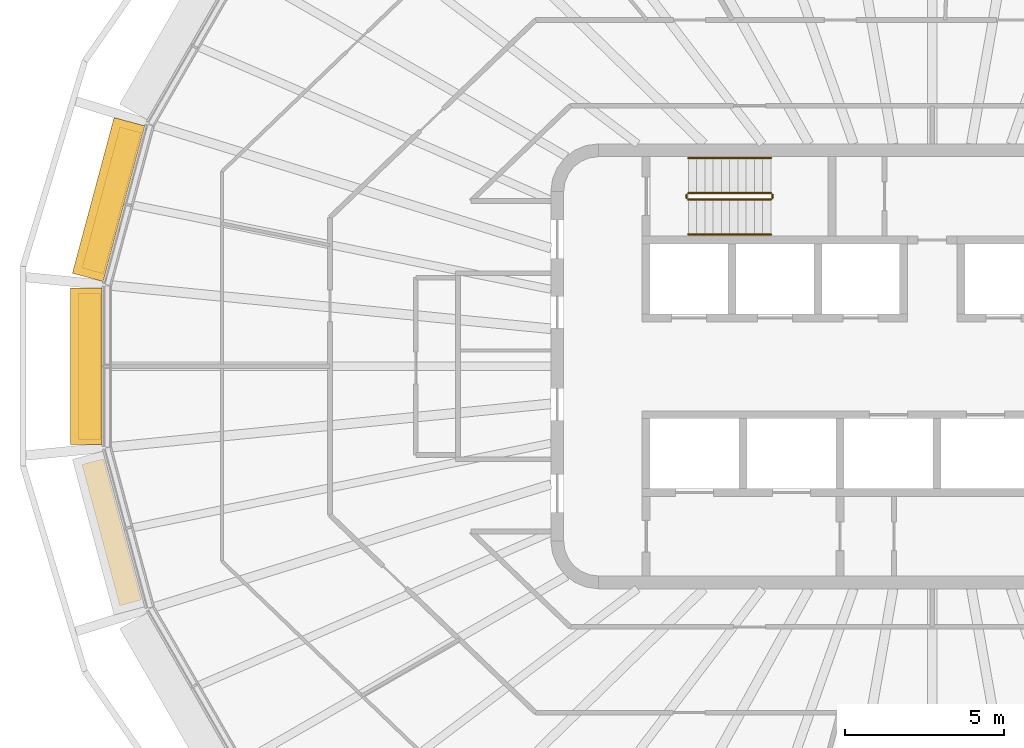
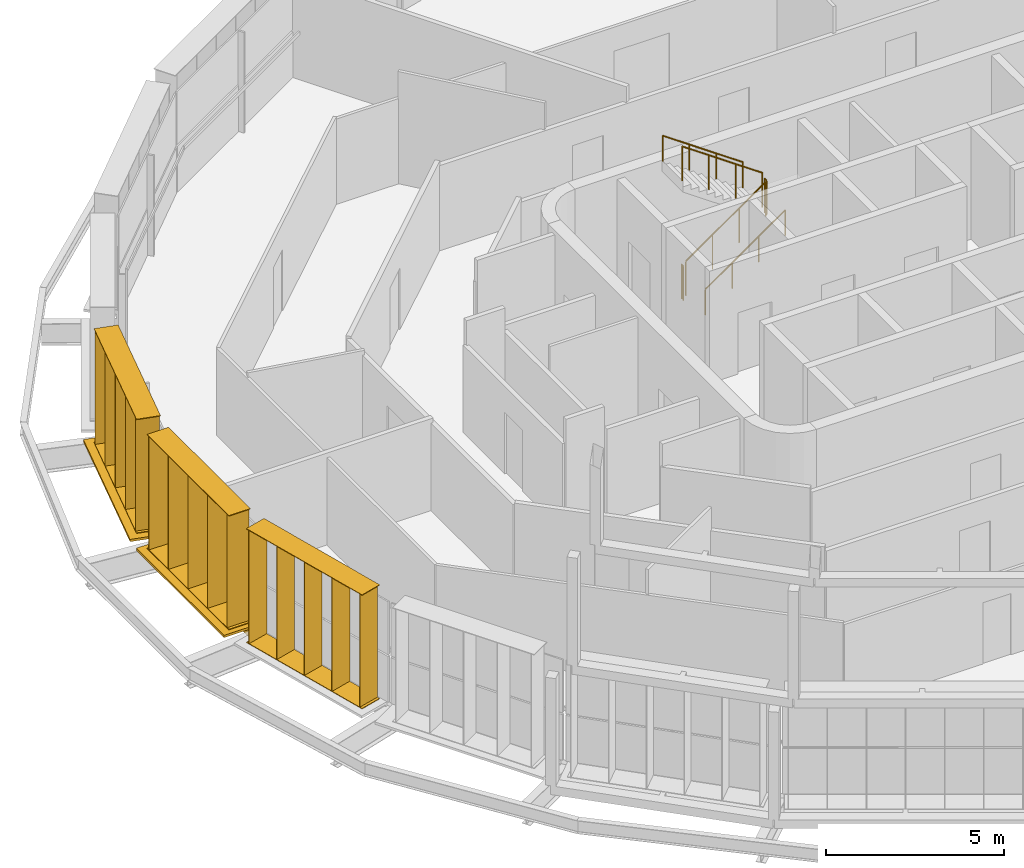
# One storey, part 15 of 18: 6 railings, 5 shading devices.
"""IFC4 building model written with IfcOpenShell, lengths in metres."""

from ifc_helpers import new_model, si_unit, direction, frame, origin, origin_2d, place, context, subcontext, project, spatial, rectangle, circle, extrude, material, type_object, element, save


model = new_model("IFC4")

# Units and contexts
model_context = context("Model", 3, precision=1e-05, world=origin(), true_north=direction((0.0, 1.0)))
body_context = subcontext(model_context, "Body", "Model", "MODEL_VIEW")
ifc_project = project(units=[si_unit("LENGTHUNIT", "METRE"), si_unit("AREAUNIT", "SQUARE_METRE"), si_unit("VOLUMEUNIT", "CUBIC_METRE"), si_unit("PLANEANGLEUNIT", "RADIAN"), si_unit("MASSUNIT", "GRAM", prefix="KILO")], contexts=[model_context])

# Site, building, storey
site_placement = place(None, origin())
site = spatial("IfcSite", under=ifc_project, at=site_placement, CompositionType="ELEMENT")
building_placement = place(site_placement, origin())
building = spatial("IfcBuilding", under=site, at=building_placement, Name="Sahrelin Media Tower", CompositionType="ELEMENT")
storey_placement = place(building_placement, frame((0.0, 0.0, 308.39990234375)))
storey = spatial("IfcBuildingStorey", under=building, at=storey_placement, Name="L68", CompositionType="ELEMENT", Elevation=308.39990234375)

# Shading devices
ifc_material_1 = material(Name="Champagne anodised aluminium 6063-T6", Category="aluminium")
shading_device_type_1 = type_object("IfcShadingDeviceType", Name="Fin cassette", PredefinedType="USERDEFINED", material=ifc_material_1)
placement_1 = place(storey_placement, frame((-25.41650390625, 5.113037109375, 0.0), z_axis=(0.0, 0.0, 1.0), x_axis=(0.258807731996, 0.965928857556, 0.0)))
element("IfcShadingDevice", 1, at=placement_1, inside=storey, type_object=shading_device_type_1, Name="L68:FIN:L68-11", ObjectType="FIN", PredefinedType="USERDEFINED", context=body_context, shape_type="SweptSolid", body=[
    extrude(rectangle(XDim=4.60009765625, YDim=0.699951171875, at=origin_2d()), frame((0.0, 0.419921875, 0.0)), (0.0, 0.0, 1.0), 0.02001953125),
    extrude(rectangle(XDim=4.60009765625, YDim=0.699951171875, at=origin_2d()), frame((0.0, 0.419921875, 3.89990234375)), (0.0, 0.0, 1.0), 0.02001953125),
    extrude(rectangle(XDim=0.02001953125, YDim=0.699951171875, at=origin_2d()), frame((-2.199951171875, 0.419921875, 0.010009765625), z_axis=(0.0, 0.0, 1.0), x_axis=(1.0, 0.0, 0.0)), (0.0, 0.0, 1.0), 3.89990234375),
    extrude(rectangle(XDim=0.02001953125, YDim=0.699951171875, at=origin_2d()), frame((-1.10009765625, 0.419921875, 0.010009765625), z_axis=(0.0, 0.0, 1.0), x_axis=(1.0, 0.0, 0.0)), (0.0, 0.0, 1.0), 3.89990234375),
    extrude(rectangle(XDim=0.02001953125, YDim=0.699951171875, at=origin_2d()), frame((0.0, 0.419921875, 0.010009765625), z_axis=(0.0, 0.0, 1.0), x_axis=(1.0, 0.0, 0.0)), (0.0, 0.0, 1.0), 3.89990234375),
    extrude(rectangle(XDim=0.02001953125, YDim=0.699951171875, at=origin_2d()), frame((1.10009765625, 0.419921875, 0.010009765625), z_axis=(0.0, 0.0, 1.0), x_axis=(1.0, 0.0, 0.0)), (0.0, 0.0, 1.0), 3.89990234375),
    extrude(rectangle(XDim=0.02001953125, YDim=0.699951171875, at=origin_2d()), frame((2.199951171875, 0.419921875, 0.010009765625), z_axis=(0.0, 0.0, 1.0), x_axis=(1.0, 0.0, 0.0)), (0.0, 0.0, 1.0), 3.89990234375),
])
placement_2 = place(storey_placement, frame((-26.098388671875, 0.0, 0.0), z_axis=(0.0, 0.0, 1.0), x_axis=(0.0, 1.0, 0.0)))
element("IfcShadingDevice", 2, at=placement_2, inside=storey, type_object=shading_device_type_1, Name="L68:FIN:L68-12", ObjectType="FIN", PredefinedType="USERDEFINED", context=body_context, shape_type="SweptSolid", body=[
    extrude(rectangle(XDim=4.60009765625, YDim=0.699951171875, at=origin_2d()), frame((0.0, 0.419921875, 0.0)), (0.0, 0.0, 1.0), 0.02001953125),
    extrude(rectangle(XDim=4.60009765625, YDim=0.699951171875, at=origin_2d()), frame((0.0, 0.419921875, 3.89990234375)), (0.0, 0.0, 1.0), 0.02001953125),
    extrude(rectangle(XDim=0.02001953125, YDim=0.699951171875, at=origin_2d()), frame((-2.199951171875, 0.419921875, 0.010009765625), z_axis=(0.0, 0.0, 1.0), x_axis=(1.0, 0.0, 0.0)), (0.0, 0.0, 1.0), 3.89990234375),
    extrude(rectangle(XDim=0.02001953125, YDim=0.699951171875, at=origin_2d()), frame((-1.10009765625, 0.419921875, 0.010009765625), z_axis=(0.0, 0.0, 1.0), x_axis=(1.0, 0.0, 0.0)), (0.0, 0.0, 1.0), 3.89990234375),
    extrude(rectangle(XDim=0.02001953125, YDim=0.699951171875, at=origin_2d()), frame((0.0, 0.419921875, 0.010009765625), z_axis=(0.0, 0.0, 1.0), x_axis=(1.0, 0.0, 0.0)), (0.0, 0.0, 1.0), 3.89990234375),
    extrude(rectangle(XDim=0.02001953125, YDim=0.699951171875, at=origin_2d()), frame((1.10009765625, 0.419921875, 0.010009765625), z_axis=(0.0, 0.0, 1.0), x_axis=(1.0, 0.0, 0.0)), (0.0, 0.0, 1.0), 3.89990234375),
    extrude(rectangle(XDim=0.02001953125, YDim=0.699951171875, at=origin_2d()), frame((2.199951171875, 0.419921875, 0.010009765625), z_axis=(0.0, 0.0, 1.0), x_axis=(1.0, 0.0, 0.0)), (0.0, 0.0, 1.0), 3.89990234375),
])
shading_device_3_placement = place(storey_placement, frame((-25.41650390625, -5.113037109375, 0.0), z_axis=(0.0, 0.0, 1.0), x_axis=(-0.258807731996, 0.965928857556, 0.0)))
element("IfcShadingDevice", 3, at=shading_device_3_placement, inside=storey, type_object=shading_device_type_1, Name="L68:FIN:L68-13", ObjectType="FIN", PredefinedType="USERDEFINED", context=body_context, shape_type="SweptSolid", body=[
    extrude(rectangle(XDim=4.60009765625, YDim=0.699951171875, at=origin_2d()), frame((0.0, 0.419921875, 0.0)), (0.0, 0.0, 1.0), 0.02001953125),
    extrude(rectangle(XDim=4.60009765625, YDim=0.699951171875, at=origin_2d()), frame((0.0, 0.419921875, 3.89990234375)), (0.0, 0.0, 1.0), 0.02001953125),
    extrude(rectangle(XDim=0.02001953125, YDim=0.699951171875, at=origin_2d()), frame((-2.199951171875, 0.419921875, 0.010009765625), z_axis=(0.0, 0.0, 1.0), x_axis=(1.0, 0.0, 0.0)), (0.0, 0.0, 1.0), 3.89990234375),
    extrude(rectangle(XDim=0.02001953125, YDim=0.699951171875, at=origin_2d()), frame((-1.10009765625, 0.419921875, 0.010009765625), z_axis=(0.0, 0.0, 1.0), x_axis=(1.0, 0.0, 0.0)), (0.0, 0.0, 1.0), 3.89990234375),
    extrude(rectangle(XDim=0.02001953125, YDim=0.699951171875, at=origin_2d()), frame((0.0, 0.419921875, 0.010009765625), z_axis=(0.0, 0.0, 1.0), x_axis=(1.0, 0.0, 0.0)), (0.0, 0.0, 1.0), 3.89990234375),
    extrude(rectangle(XDim=0.02001953125, YDim=0.699951171875, at=origin_2d()), frame((1.10009765625, 0.419921875, 0.010009765625), z_axis=(0.0, 0.0, 1.0), x_axis=(1.0, 0.0, 0.0)), (0.0, 0.0, 1.0), 3.89990234375),
    extrude(rectangle(XDim=0.02001953125, YDim=0.699951171875, at=origin_2d()), frame((2.199951171875, 0.419921875, 0.010009765625), z_axis=(0.0, 0.0, 1.0), x_axis=(1.0, 0.0, 0.0)), (0.0, 0.0, 1.0), 3.89990234375),
])

# Railings
ifc_material_2 = material(Name="Steel S355", Category="steel")
railing_type_1 = type_object("IfcRailingType", Name="Stair guard 1200", PredefinedType="GUARDRAIL", material=ifc_material_2)
railing_1_placement = place(storey_placement, frame((-7.675048828125, 5.25, 0.181884765625)))
element("IfcRailing", 4, at=railing_1_placement, inside=storey, type_object=railing_type_1, Name="L68 ST1 stair guard 1", PredefinedType="GUARDRAIL", context=body_context, shape_type="SweptSolid", body=[
    extrude(circle(Radius=0.02392578125, at=origin_2d()), frame((0.0, 0.0, 1.17578125), z_axis=(0.819521025635, 0.0, 0.573049115296), x_axis=(0.0, 1.0, 0.0)), (0.0, 0.0, 1.0), 3.172607421875),
    extrude(circle(Radius=0.02099609375, at=origin_2d()), origin(), (0.0, 0.0, 1.0), 1.15185546875),
    extrude(circle(Radius=0.02099609375, at=origin_2d()), frame((0.86669921875, 0.0, 0.60595703125)), (0.0, 0.0, 1.0), 1.15185546875),
    extrude(circle(Radius=0.02099609375, at=origin_2d()), frame((1.7333984375, 0.0, 1.212158203125)), (0.0, 0.0, 1.0), 1.15185546875),
    extrude(circle(Radius=0.02099609375, at=origin_2d()), frame((2.60009765625, 0.0, 1.818115234375)), (0.0, 0.0, 1.0), 1.15185546875),
])
railing_2_placement = place(storey_placement, frame((-5.02490234375, 5.300048828125, 2.0)))
element("IfcRailing", 5, at=railing_2_placement, inside=storey, type_object=railing_type_1, Name="L68 ST1 stair guard 2", PredefinedType="GUARDRAIL", context=body_context, shape_type="SweptSolid", body=[
    extrude(circle(Radius=0.02392578125, at=origin_2d()), frame((0.0, 0.0, 1.17578125), z_axis=(0.0, 1.0, 0.0), x_axis=(-1.0, 0.0, 0.0)), (0.0, 0.0, 1.0), 0.099853515625),
    extrude(circle(Radius=0.02099609375, at=origin_2d()), origin(), (0.0, 0.0, 1.0), 1.15185546875),
    extrude(circle(Radius=0.02099609375, at=origin_2d()), frame((0.0, 0.099853515625, 0.0)), (0.0, 0.0, 1.0), 1.15185546875),
])
railing_3_placement = place(storey_placement, frame((-5.074951171875, 5.449951171875, 2.181884765625)))
element("IfcRailing", 6, at=railing_3_placement, inside=storey, type_object=railing_type_1, Name="L68 ST1 stair guard 3", PredefinedType="GUARDRAIL", context=body_context, shape_type="SweptSolid", body=[
    extrude(circle(Radius=0.02392578125, at=origin_2d()), frame((0.0, 0.0, 1.17578125), z_axis=(-0.819521025635, 0.0, 0.573049115296), x_axis=(0.0, -1.0, 0.0)), (0.0, 0.0, 1.0), 3.172607421875),
    extrude(circle(Radius=0.02099609375, at=origin_2d()), origin(), (0.0, 0.0, 1.0), 1.15185546875),
    extrude(circle(Radius=0.02099609375, at=origin_2d()), frame((-0.86669921875, 0.0, 0.60595703125)), (0.0, 0.0, 1.0), 1.15185546875),
    extrude(circle(Radius=0.02099609375, at=origin_2d()), frame((-1.7333984375, 0.0, 1.212158203125)), (0.0, 0.0, 1.0), 1.15185546875),
    extrude(circle(Radius=0.02099609375, at=origin_2d()), frame((-2.60009765625, 0.0, 1.818115234375)), (0.0, 0.0, 1.0), 1.15185546875),
])
railing_4_placement = place(storey_placement, frame((-7.72509765625, 5.300048828125, 0.0)))
element("IfcRailing", 7, at=railing_4_placement, inside=storey, type_object=railing_type_1, Name="L68 ST1 stair guard 4", PredefinedType="GUARDRAIL", context=body_context, shape_type="SweptSolid", body=[
    extrude(circle(Radius=0.02392578125, at=origin_2d()), frame((0.0, 0.0, 1.17578125), z_axis=(0.0, 1.0, 0.0), x_axis=(-1.0, 0.0, 0.0)), (0.0, 0.0, 1.0), 0.099853515625),
    extrude(circle(Radius=0.02099609375, at=origin_2d()), origin(), (0.0, 0.0, 1.0), 1.15185546875),
    extrude(circle(Radius=0.02099609375, at=origin_2d()), frame((0.0, 0.099853515625, 0.0)), (0.0, 0.0, 1.0), 1.15185546875),
])
railing_type_2 = type_object("IfcRailingType", Name="Stair handrail 900", PredefinedType="HANDRAIL", material=ifc_material_2)
railing_5_placement = place(storey_placement, frame((-7.675048828125, 4.14990234375, 0.181884765625)))
element("IfcRailing", 8, at=railing_5_placement, inside=storey, type_object=railing_type_2, Name="L68 ST1 stair handrail 1", PredefinedType="HANDRAIL", context=body_context, shape_type="SweptSolid", body=[
    extrude(circle(Radius=0.02392578125, at=origin_2d()), frame((0.0, 0.0, 0.8759765625), z_axis=(0.819521025635, 0.0, 0.573049115296), x_axis=(0.0, 1.0, 0.0)), (0.0, 0.0, 1.0), 3.172607421875),
    extrude(circle(Radius=0.02099609375, at=origin_2d()), origin(), (0.0, 0.0, 1.0), 0.851806640625),
    extrude(circle(Radius=0.02099609375, at=origin_2d()), frame((0.86669921875, 0.0, 0.60595703125)), (0.0, 0.0, 1.0), 0.851806640625),
    extrude(circle(Radius=0.02099609375, at=origin_2d()), frame((1.7333984375, 0.0, 1.212158203125)), (0.0, 0.0, 1.0), 0.851806640625),
    extrude(circle(Radius=0.02099609375, at=origin_2d()), frame((2.60009765625, 0.0, 1.818115234375)), (0.0, 0.0, 1.0), 0.851806640625),
])
railing_6_placement = place(storey_placement, frame((-5.074951171875, 6.550048828125, 2.181884765625)))
element("IfcRailing", 9, at=railing_6_placement, inside=storey, type_object=railing_type_2, Name="L68 ST1 stair handrail 2", PredefinedType="HANDRAIL", context=body_context, shape_type="SweptSolid", body=[
    extrude(circle(Radius=0.02392578125, at=origin_2d()), frame((0.0, 0.0, 0.8759765625), z_axis=(-0.819521025635, 0.0, 0.573049115296), x_axis=(0.0, -1.0, 0.0)), (0.0, 0.0, 1.0), 3.172607421875),
    extrude(circle(Radius=0.02099609375, at=origin_2d()), origin(), (0.0, 0.0, 1.0), 0.851806640625),
    extrude(circle(Radius=0.02099609375, at=origin_2d()), frame((-0.86669921875, 0.0, 0.60595703125)), (0.0, 0.0, 1.0), 0.851806640625),
    extrude(circle(Radius=0.02099609375, at=origin_2d()), frame((-1.7333984375, 0.0, 1.212158203125)), (0.0, 0.0, 1.0), 0.851806640625),
    extrude(circle(Radius=0.02099609375, at=origin_2d()), frame((-2.60009765625, 0.0, 1.818115234375)), (0.0, 0.0, 1.0), 0.851806640625),
])

# Shading devices
shading_device_type_2 = type_object("IfcShadingDeviceType", Name="Sunshade band", PredefinedType="USERDEFINED", material=ifc_material_1)
element("IfcShadingDevice", 10, at=placement_1, inside=storey, type_object=shading_device_type_2, Name="L68:SUN:L68-11", ObjectType="SUNSHADE", PredefinedType="USERDEFINED", context=body_context, shape_type="SweptSolid", body=[
    extrude(rectangle(XDim=5.070068359375, YDim=0.050048828125, at=origin_2d()), frame((0.0, 0.044921875, -0.55126953125)), (0.0, 0.0, 1.0), 0.471435546875),
    extrude(rectangle(XDim=5.070068359375, YDim=1.0, at=origin_2d()), frame((0.0, 0.52001953125, -0.080078125)), (0.0, 0.0, 1.0), 0.080078125),
    extrude(rectangle(XDim=0.10009765625, YDim=0.074951171875, at=origin_2d()), frame((-2.43505859375, -0.017578125, -0.47021484375)), (0.0, 0.0, 1.0), 0.300048828125),
    extrude(rectangle(XDim=0.10009765625, YDim=0.074951171875, at=origin_2d()), frame((-0.811767578125, -0.017578125, -0.47021484375)), (0.0, 0.0, 1.0), 0.300048828125),
    extrude(rectangle(XDim=0.10009765625, YDim=0.074951171875, at=origin_2d()), frame((0.811767578125, -0.017578125, -0.47021484375)), (0.0, 0.0, 1.0), 0.300048828125),
    extrude(rectangle(XDim=0.10009765625, YDim=0.074951171875, at=origin_2d()), frame((2.43505859375, -0.017578125, -0.47021484375)), (0.0, 0.0, 1.0), 0.300048828125),
])
element("IfcShadingDevice", 11, at=placement_2, inside=storey, type_object=shading_device_type_2, Name="L68:SUN:L68-12", ObjectType="SUNSHADE", PredefinedType="USERDEFINED", context=body_context, shape_type="SweptSolid", body=[
    extrude(rectangle(XDim=4.935791015625, YDim=0.050048828125, at=origin_2d()), frame((0.0, 0.044921875, -0.55126953125)), (0.0, 0.0, 1.0), 0.471435546875),
    extrude(rectangle(XDim=4.935791015625, YDim=1.0, at=origin_2d()), frame((0.0, 0.52001953125, -0.080078125)), (0.0, 0.0, 1.0), 0.080078125),
    extrude(rectangle(XDim=0.10009765625, YDim=0.074951171875, at=origin_2d()), frame((-2.367919921875, -0.017578125, -0.47021484375)), (0.0, 0.0, 1.0), 0.300048828125),
    extrude(rectangle(XDim=0.10009765625, YDim=0.074951171875, at=origin_2d()), frame((-0.789306640625, -0.017578125, -0.47021484375)), (0.0, 0.0, 1.0), 0.300048828125),
    extrude(rectangle(XDim=0.10009765625, YDim=0.074951171875, at=origin_2d()), frame((0.789306640625, -0.017578125, -0.47021484375)), (0.0, 0.0, 1.0), 0.300048828125),
    extrude(rectangle(XDim=0.10009765625, YDim=0.074951171875, at=origin_2d()), frame((2.367919921875, -0.017578125, -0.47021484375)), (0.0, 0.0, 1.0), 0.300048828125),
])

save(model, "model.ifc")
